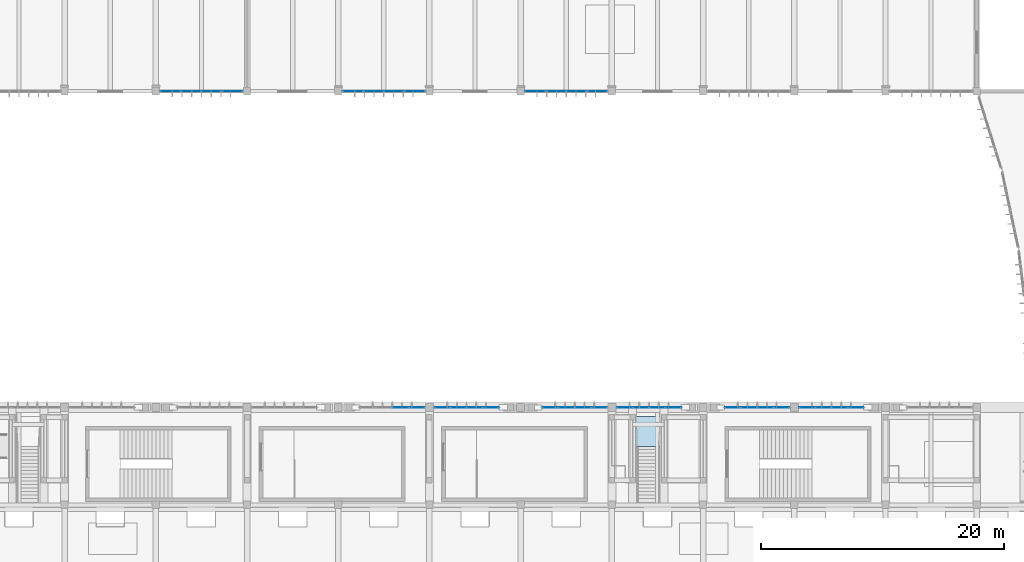
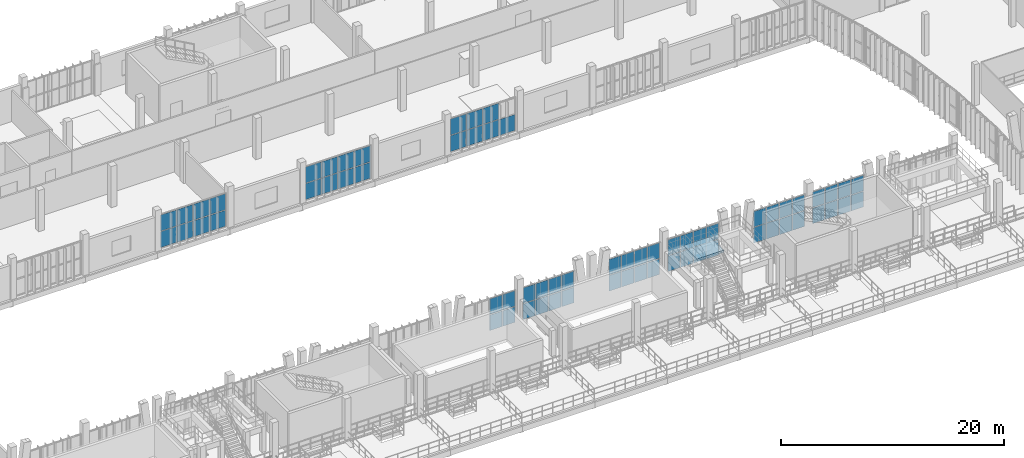
# One storey, part 43 of 81: 67 plates, 1 slab, 9 elements without a shape of their own.
"""IFC4 building model written with IfcOpenShell, lengths in metres."""

from ifc_helpers import new_model, si_unit, direction, frame, origin, origin_2d, place, context, subcontext, project, spatial, polyline, rectangle, outline, extrude, material, layer, layer_set, type_object, element, aggregate, save


model = new_model("IFC4")

# Units and contexts
model_context = context("Model", 3, precision=1e-05, world=origin(), true_north=direction((0.0, 1.0)))
body_context = subcontext(model_context, "Body", "Model", "MODEL_VIEW")
ifc_project = project(units=[si_unit("LENGTHUNIT", "METRE"), si_unit("AREAUNIT", "SQUARE_METRE"), si_unit("VOLUMEUNIT", "CUBIC_METRE"), si_unit("PLANEANGLEUNIT", "RADIAN"), si_unit("MASSUNIT", "GRAM", prefix="KILO")], contexts=[model_context])

# Site, building, storey
site_placement = place(None, origin())
site = spatial("IfcSite", under=ifc_project, at=site_placement, CompositionType="ELEMENT")
building_placement = place(site_placement, origin())
building = spatial("IfcBuilding", under=site, at=building_placement, Name="Vourika Railside Aquatics Centre", CompositionType="ELEMENT")
storey_placement = place(building_placement, frame((0.0, 0.0, 4.800048828125)))
storey = spatial("IfcBuildingStorey", under=building, at=storey_placement, Name="L01", CompositionType="ELEMENT", Elevation=4.800048828125)

# Curtain wall, plates
ifc_material_1 = material(Name="Anodized thermally broken aluminium", Category="aluminium")
curtain_wall_type_1 = type_object("IfcCurtainWallType", Name="CW-CRT1", PredefinedType="NOTDEFINED", material=ifc_material_1)
curtain_wall_1_placement = place(storey_placement, origin())
curtain_wall_1 = element("IfcCurtainWall", 1, at=curtain_wall_1_placement, inside=storey, type_object=curtain_wall_type_1, Name="Spectator Concourse Courtyard Curtain Wall 7", PredefinedType="NOTDEFINED")
ifc_material_2 = material(Name="Low-E solar-control laminated double glazing", Category="glass")
ifc_layer_1 = layer(ifc_material_2, 0.02392578125, Name="CWP-CRT1")
ifc_layer_set_1 = layer_set([ifc_layer_1], Name="Low-E solar-control laminated double glazing")
plate_type_1 = type_object("IfcPlateType", Name="CWP-CRT1", PredefinedType="CURTAIN_PANEL", material=ifc_layer_set_1)
plate_1_placement = place(storey_placement, frame((87.44970703125, 66.0, 0.06591796875), z_axis=(0.0, 0.0, 1.0), x_axis=(-1.0, 0.0, 0.0)))
plate_1 = element("IfcPlate", 2, at=plate_1_placement, type_object=plate_type_1, Name="CW13 panel 1.1", PredefinedType="CURTAIN_PANEL", context=body_context, shape_type="SweptSolid", body=[
    extrude(rectangle(XDim=1.24853515625, YDim=0.02392578125, at=origin_2d()), origin(), (0.0, 0.0, 1.0), 1.700927734375),
])
plate_2_placement = place(storey_placement, frame((87.44970703125, 66.0, 1.8330078125), z_axis=(0.0, 0.0, 1.0), x_axis=(-1.0, 0.0, 0.0)))
plate_2 = element("IfcPlate", 3, at=plate_2_placement, type_object=plate_type_1, Name="CW13 panel 1.2", PredefinedType="CURTAIN_PANEL", context=body_context, shape_type="SweptSolid", body=[
    extrude(rectangle(XDim=1.24853515625, YDim=0.02392578125, at=origin_2d()), origin(), (0.0, 0.0, 1.0), 1.700927734375),
])
plate_3_placement = place(storey_placement, frame((86.11865234375, 66.0, 0.06591796875), z_axis=(0.0, 0.0, 1.0), x_axis=(-1.0, 0.0, 0.0)))
plate_3 = element("IfcPlate", 4, at=plate_3_placement, type_object=plate_type_1, Name="CW13 panel 2.1", PredefinedType="CURTAIN_PANEL", context=body_context, shape_type="SweptSolid", body=[
    extrude(rectangle(XDim=1.281494140625, YDim=0.02392578125, at=origin_2d()), origin(), (0.0, 0.0, 1.0), 1.700927734375),
])
plate_4_placement = place(storey_placement, frame((86.11865234375, 66.0, 1.8330078125), z_axis=(0.0, 0.0, 1.0), x_axis=(-1.0, 0.0, 0.0)))
plate_4 = element("IfcPlate", 5, at=plate_4_placement, type_object=plate_type_1, Name="CW13 panel 2.2", PredefinedType="CURTAIN_PANEL", context=body_context, shape_type="SweptSolid", body=[
    extrude(rectangle(XDim=1.281494140625, YDim=0.02392578125, at=origin_2d()), origin(), (0.0, 0.0, 1.0), 1.700927734375),
])
aggregate(curtain_wall_1, [plate_1, plate_2, plate_3, plate_4])

curtain_wall_2_placement = place(storey_placement, origin())
curtain_wall_2 = element("IfcCurtainWall", 6, at=curtain_wall_2_placement, inside=storey, type_object=curtain_wall_type_1, Name="Spectator Concourse Courtyard Curtain Wall 8", PredefinedType="NOTDEFINED")
plate_5_placement = place(storey_placement, frame((93.559814453125, 66.0, 0.06591796875), z_axis=(0.0, 0.0, 1.0), x_axis=(-1.0, 0.0, 0.0)))
plate_5 = element("IfcPlate", 7, at=plate_5_placement, type_object=plate_type_1, Name="CW13 panel 1.1", PredefinedType="CURTAIN_PANEL", context=body_context, shape_type="SweptSolid", body=[
    extrude(rectangle(XDim=1.24853515625, YDim=0.02392578125, at=origin_2d()), origin(), (0.0, 0.0, 1.0), 1.700927734375),
])
plate_6_placement = place(storey_placement, frame((93.559814453125, 66.0, 1.8330078125), z_axis=(0.0, 0.0, 1.0), x_axis=(-1.0, 0.0, 0.0)))
plate_6 = element("IfcPlate", 8, at=plate_6_placement, type_object=plate_type_1, Name="CW13 panel 1.2", PredefinedType="CURTAIN_PANEL", context=body_context, shape_type="SweptSolid", body=[
    extrude(rectangle(XDim=1.24853515625, YDim=0.02392578125, at=origin_2d()), origin(), (0.0, 0.0, 1.0), 1.700927734375),
])
plate_7_placement = place(storey_placement, frame((92.228759765625, 66.0, 0.06591796875), z_axis=(0.0, 0.0, 1.0), x_axis=(-1.0, 0.0, 0.0)))
plate_7 = element("IfcPlate", 9, at=plate_7_placement, type_object=plate_type_1, Name="CW13 panel 2.1", PredefinedType="CURTAIN_PANEL", context=body_context, shape_type="SweptSolid", body=[
    extrude(rectangle(XDim=1.281494140625, YDim=0.02392578125, at=origin_2d()), origin(), (0.0, 0.0, 1.0), 1.700927734375),
])
plate_8_placement = place(storey_placement, frame((92.228759765625, 66.0, 1.8330078125), z_axis=(0.0, 0.0, 1.0), x_axis=(-1.0, 0.0, 0.0)))
plate_8 = element("IfcPlate", 10, at=plate_8_placement, type_object=plate_type_1, Name="CW13 panel 2.2", PredefinedType="CURTAIN_PANEL", context=body_context, shape_type="SweptSolid", body=[
    extrude(rectangle(XDim=1.281494140625, YDim=0.02392578125, at=origin_2d()), origin(), (0.0, 0.0, 1.0), 1.700927734375),
])
plate_9_placement = place(storey_placement, frame((90.88134765625, 66.0, 0.06591796875), z_axis=(0.0, 0.0, 1.0), x_axis=(-1.0, 0.0, 0.0)))
plate_9 = element("IfcPlate", 11, at=plate_9_placement, type_object=plate_type_1, Name="CW13 panel 3.1", PredefinedType="CURTAIN_PANEL", context=body_context, shape_type="SweptSolid", body=[
    extrude(rectangle(XDim=1.281494140625, YDim=0.02392578125, at=origin_2d()), origin(), (0.0, 0.0, 1.0), 1.700927734375),
])
plate_10_placement = place(storey_placement, frame((90.88134765625, 66.0, 1.8330078125), z_axis=(0.0, 0.0, 1.0), x_axis=(-1.0, 0.0, 0.0)))
plate_10 = element("IfcPlate", 12, at=plate_10_placement, type_object=plate_type_1, Name="CW13 panel 3.2", PredefinedType="CURTAIN_PANEL", context=body_context, shape_type="SweptSolid", body=[
    extrude(rectangle(XDim=1.281494140625, YDim=0.02392578125, at=origin_2d()), origin(), (0.0, 0.0, 1.0), 1.700927734375),
])
plate_11_placement = place(storey_placement, frame((89.55029296875, 66.0, 0.06591796875), z_axis=(0.0, 0.0, 1.0), x_axis=(-1.0, 0.0, 0.0)))
plate_11 = element("IfcPlate", 13, at=plate_11_placement, type_object=plate_type_1, Name="CW13 panel 4.1", PredefinedType="CURTAIN_PANEL", context=body_context, shape_type="SweptSolid", body=[
    extrude(rectangle(XDim=1.24853515625, YDim=0.02392578125, at=origin_2d()), origin(), (0.0, 0.0, 1.0), 1.700927734375),
])
plate_12_placement = place(storey_placement, frame((89.55029296875, 66.0, 1.8330078125), z_axis=(0.0, 0.0, 1.0), x_axis=(-1.0, 0.0, 0.0)))
plate_12 = element("IfcPlate", 14, at=plate_12_placement, type_object=plate_type_1, Name="CW13 panel 4.2", PredefinedType="CURTAIN_PANEL", context=body_context, shape_type="SweptSolid", body=[
    extrude(rectangle(XDim=1.24853515625, YDim=0.02392578125, at=origin_2d()), origin(), (0.0, 0.0, 1.0), 1.700927734375),
])
aggregate(curtain_wall_2, [plate_5, plate_6, plate_7, plate_8, plate_9, plate_10, plate_11, plate_12])

curtain_wall_3_placement = place(storey_placement, origin())
curtain_wall_3 = element("IfcCurtainWall", 15, at=curtain_wall_3_placement, inside=storey, type_object=curtain_wall_type_1, Name="Spectator Concourse Courtyard Curtain Wall 9", PredefinedType="NOTDEFINED")
plate_13_placement = place(storey_placement, frame((102.44970703125, 66.0, 0.06591796875), z_axis=(0.0, 0.0, 1.0), x_axis=(-1.0, 0.0, 0.0)))
plate_13 = element("IfcPlate", 16, at=plate_13_placement, type_object=plate_type_1, Name="CW13 panel 1.1", PredefinedType="CURTAIN_PANEL", context=body_context, shape_type="SweptSolid", body=[
    extrude(rectangle(XDim=1.24853515625, YDim=0.02392578125, at=origin_2d()), origin(), (0.0, 0.0, 1.0), 1.700927734375),
])
plate_14_placement = place(storey_placement, frame((102.44970703125, 66.0, 1.8330078125), z_axis=(0.0, 0.0, 1.0), x_axis=(-1.0, 0.0, 0.0)))
plate_14 = element("IfcPlate", 17, at=plate_14_placement, type_object=plate_type_1, Name="CW13 panel 1.2", PredefinedType="CURTAIN_PANEL", context=body_context, shape_type="SweptSolid", body=[
    extrude(rectangle(XDim=1.24853515625, YDim=0.02392578125, at=origin_2d()), origin(), (0.0, 0.0, 1.0), 1.700927734375),
])
plate_15_placement = place(storey_placement, frame((101.11865234375, 66.0, 0.06591796875), z_axis=(0.0, 0.0, 1.0), x_axis=(-1.0, 0.0, 0.0)))
plate_15 = element("IfcPlate", 18, at=plate_15_placement, type_object=plate_type_1, Name="CW13 panel 2.1", PredefinedType="CURTAIN_PANEL", context=body_context, shape_type="SweptSolid", body=[
    extrude(rectangle(XDim=1.281494140625, YDim=0.02392578125, at=origin_2d()), origin(), (0.0, 0.0, 1.0), 1.700927734375),
])
plate_16_placement = place(storey_placement, frame((101.11865234375, 66.0, 1.8330078125), z_axis=(0.0, 0.0, 1.0), x_axis=(-1.0, 0.0, 0.0)))
plate_16 = element("IfcPlate", 19, at=plate_16_placement, type_object=plate_type_1, Name="CW13 panel 2.2", PredefinedType="CURTAIN_PANEL", context=body_context, shape_type="SweptSolid", body=[
    extrude(rectangle(XDim=1.281494140625, YDim=0.02392578125, at=origin_2d()), origin(), (0.0, 0.0, 1.0), 1.700927734375),
])
plate_17_placement = place(storey_placement, frame((99.771240234375, 66.0, 0.06591796875), z_axis=(0.0, 0.0, 1.0), x_axis=(-1.0, 0.0, 0.0)))
plate_17 = element("IfcPlate", 20, at=plate_17_placement, type_object=plate_type_1, Name="CW13 panel 3.1", PredefinedType="CURTAIN_PANEL", context=body_context, shape_type="SweptSolid", body=[
    extrude(rectangle(XDim=1.281494140625, YDim=0.02392578125, at=origin_2d()), origin(), (0.0, 0.0, 1.0), 1.700927734375),
])
plate_18_placement = place(storey_placement, frame((99.771240234375, 66.0, 1.8330078125), z_axis=(0.0, 0.0, 1.0), x_axis=(-1.0, 0.0, 0.0)))
plate_18 = element("IfcPlate", 21, at=plate_18_placement, type_object=plate_type_1, Name="CW13 panel 3.2", PredefinedType="CURTAIN_PANEL", context=body_context, shape_type="SweptSolid", body=[
    extrude(rectangle(XDim=1.281494140625, YDim=0.02392578125, at=origin_2d()), origin(), (0.0, 0.0, 1.0), 1.700927734375),
])
plate_19_placement = place(storey_placement, frame((98.440185546875, 66.0, 0.06591796875), z_axis=(0.0, 0.0, 1.0), x_axis=(-1.0, 0.0, 0.0)))
plate_19 = element("IfcPlate", 22, at=plate_19_placement, type_object=plate_type_1, Name="CW13 panel 4.1", PredefinedType="CURTAIN_PANEL", context=body_context, shape_type="SweptSolid", body=[
    extrude(rectangle(XDim=1.24853515625, YDim=0.02392578125, at=origin_2d()), origin(), (0.0, 0.0, 1.0), 1.700927734375),
])
plate_20_placement = place(storey_placement, frame((98.440185546875, 66.0, 1.8330078125), z_axis=(0.0, 0.0, 1.0), x_axis=(-1.0, 0.0, 0.0)))
plate_20 = element("IfcPlate", 23, at=plate_20_placement, type_object=plate_type_1, Name="CW13 panel 4.2", PredefinedType="CURTAIN_PANEL", context=body_context, shape_type="SweptSolid", body=[
    extrude(rectangle(XDim=1.24853515625, YDim=0.02392578125, at=origin_2d()), origin(), (0.0, 0.0, 1.0), 1.700927734375),
])
aggregate(curtain_wall_3, [plate_13, plate_14, plate_15, plate_16, plate_17, plate_18, plate_19, plate_20])

curtain_wall_4_placement = place(storey_placement, origin())
curtain_wall_4 = element("IfcCurtainWall", 24, at=curtain_wall_4_placement, inside=storey, type_object=curtain_wall_type_1, Name="Spectator Concourse Courtyard Curtain Wall 10", PredefinedType="NOTDEFINED")
plate_21_placement = place(storey_placement, frame((108.559814453125, 66.0, 0.06591796875), z_axis=(0.0, 0.0, 1.0), x_axis=(-1.0, 0.0, 0.0)))
plate_21 = element("IfcPlate", 25, at=plate_21_placement, type_object=plate_type_1, Name="CW13 panel 1.1", PredefinedType="CURTAIN_PANEL", context=body_context, shape_type="SweptSolid", body=[
    extrude(rectangle(XDim=1.24853515625, YDim=0.02392578125, at=origin_2d()), origin(), (0.0, 0.0, 1.0), 1.700927734375),
])
plate_22_placement = place(storey_placement, frame((108.559814453125, 66.0, 1.8330078125), z_axis=(0.0, 0.0, 1.0), x_axis=(-1.0, 0.0, 0.0)))
plate_22 = element("IfcPlate", 26, at=plate_22_placement, type_object=plate_type_1, Name="CW13 panel 1.2", PredefinedType="CURTAIN_PANEL", context=body_context, shape_type="SweptSolid", body=[
    extrude(rectangle(XDim=1.24853515625, YDim=0.02392578125, at=origin_2d()), origin(), (0.0, 0.0, 1.0), 1.700927734375),
])
plate_23_placement = place(storey_placement, frame((107.228759765625, 66.0, 0.06591796875), z_axis=(0.0, 0.0, 1.0), x_axis=(-1.0, 0.0, 0.0)))
plate_23 = element("IfcPlate", 27, at=plate_23_placement, type_object=plate_type_1, Name="CW13 panel 2.1", PredefinedType="CURTAIN_PANEL", context=body_context, shape_type="SweptSolid", body=[
    extrude(rectangle(XDim=1.281494140625, YDim=0.02392578125, at=origin_2d()), origin(), (0.0, 0.0, 1.0), 1.700927734375),
])
plate_24_placement = place(storey_placement, frame((107.228759765625, 66.0, 1.8330078125), z_axis=(0.0, 0.0, 1.0), x_axis=(-1.0, 0.0, 0.0)))
plate_24 = element("IfcPlate", 28, at=plate_24_placement, type_object=plate_type_1, Name="CW13 panel 2.2", PredefinedType="CURTAIN_PANEL", context=body_context, shape_type="SweptSolid", body=[
    extrude(rectangle(XDim=1.281494140625, YDim=0.02392578125, at=origin_2d()), origin(), (0.0, 0.0, 1.0), 1.700927734375),
])
plate_25_placement = place(storey_placement, frame((105.88134765625, 66.0, 0.06591796875), z_axis=(0.0, 0.0, 1.0), x_axis=(-1.0, 0.0, 0.0)))
plate_25 = element("IfcPlate", 29, at=plate_25_placement, type_object=plate_type_1, Name="CW13 panel 3.1", PredefinedType="CURTAIN_PANEL", context=body_context, shape_type="SweptSolid", body=[
    extrude(rectangle(XDim=1.281494140625, YDim=0.02392578125, at=origin_2d()), origin(), (0.0, 0.0, 1.0), 1.700927734375),
])
plate_26_placement = place(storey_placement, frame((105.88134765625, 66.0, 1.8330078125), z_axis=(0.0, 0.0, 1.0), x_axis=(-1.0, 0.0, 0.0)))
plate_26 = element("IfcPlate", 30, at=plate_26_placement, type_object=plate_type_1, Name="CW13 panel 3.2", PredefinedType="CURTAIN_PANEL", context=body_context, shape_type="SweptSolid", body=[
    extrude(rectangle(XDim=1.281494140625, YDim=0.02392578125, at=origin_2d()), origin(), (0.0, 0.0, 1.0), 1.700927734375),
])
plate_27_placement = place(storey_placement, frame((104.55029296875, 66.0, 0.06591796875), z_axis=(0.0, 0.0, 1.0), x_axis=(-1.0, 0.0, 0.0)))
plate_27 = element("IfcPlate", 31, at=plate_27_placement, type_object=plate_type_1, Name="CW13 panel 4.1", PredefinedType="CURTAIN_PANEL", context=body_context, shape_type="SweptSolid", body=[
    extrude(rectangle(XDim=1.24853515625, YDim=0.02392578125, at=origin_2d()), origin(), (0.0, 0.0, 1.0), 1.700927734375),
])
plate_28_placement = place(storey_placement, frame((104.55029296875, 66.0, 1.8330078125), z_axis=(0.0, 0.0, 1.0), x_axis=(-1.0, 0.0, 0.0)))
plate_28 = element("IfcPlate", 32, at=plate_28_placement, type_object=plate_type_1, Name="CW13 panel 4.2", PredefinedType="CURTAIN_PANEL", context=body_context, shape_type="SweptSolid", body=[
    extrude(rectangle(XDim=1.24853515625, YDim=0.02392578125, at=origin_2d()), origin(), (0.0, 0.0, 1.0), 1.700927734375),
])
aggregate(curtain_wall_4, [plate_21, plate_22, plate_23, plate_24, plate_25, plate_26, plate_27, plate_28])

curtain_wall_5_placement = place(storey_placement, origin())
curtain_wall_5 = element("IfcCurtainWall", 33, at=curtain_wall_5_placement, inside=storey, type_object=curtain_wall_type_1, Name="Spectator Concourse Courtyard Curtain Wall 11", PredefinedType="NOTDEFINED")
plate_29_placement = place(storey_placement, frame((117.44970703125, 66.0, 0.06591796875), z_axis=(0.0, 0.0, 1.0), x_axis=(-1.0, 0.0, 0.0)))
plate_29 = element("IfcPlate", 34, at=plate_29_placement, type_object=plate_type_1, Name="CW13 panel 1.1", PredefinedType="CURTAIN_PANEL", context=body_context, shape_type="SweptSolid", body=[
    extrude(rectangle(XDim=1.24853515625, YDim=0.02392578125, at=origin_2d()), origin(), (0.0, 0.0, 1.0), 1.700927734375),
])
plate_30_placement = place(storey_placement, frame((117.44970703125, 66.0, 1.8330078125), z_axis=(0.0, 0.0, 1.0), x_axis=(-1.0, 0.0, 0.0)))
plate_30 = element("IfcPlate", 35, at=plate_30_placement, type_object=plate_type_1, Name="CW13 panel 1.2", PredefinedType="CURTAIN_PANEL", context=body_context, shape_type="SweptSolid", body=[
    extrude(rectangle(XDim=1.24853515625, YDim=0.02392578125, at=origin_2d()), origin(), (0.0, 0.0, 1.0), 1.700927734375),
])
plate_31_placement = place(storey_placement, frame((116.11865234375, 66.0, 0.06591796875), z_axis=(0.0, 0.0, 1.0), x_axis=(-1.0, 0.0, 0.0)))
plate_31 = element("IfcPlate", 36, at=plate_31_placement, type_object=plate_type_1, Name="CW13 panel 2.1", PredefinedType="CURTAIN_PANEL", context=body_context, shape_type="SweptSolid", body=[
    extrude(rectangle(XDim=1.281494140625, YDim=0.02392578125, at=origin_2d()), origin(), (0.0, 0.0, 1.0), 1.700927734375),
])
plate_32_placement = place(storey_placement, frame((116.11865234375, 66.0, 1.8330078125), z_axis=(0.0, 0.0, 1.0), x_axis=(-1.0, 0.0, 0.0)))
plate_32 = element("IfcPlate", 37, at=plate_32_placement, type_object=plate_type_1, Name="CW13 panel 2.2", PredefinedType="CURTAIN_PANEL", context=body_context, shape_type="SweptSolid", body=[
    extrude(rectangle(XDim=1.281494140625, YDim=0.02392578125, at=origin_2d()), origin(), (0.0, 0.0, 1.0), 1.700927734375),
])
plate_33_placement = place(storey_placement, frame((114.771240234375, 66.0, 0.06591796875), z_axis=(0.0, 0.0, 1.0), x_axis=(-1.0, 0.0, 0.0)))
plate_33 = element("IfcPlate", 38, at=plate_33_placement, type_object=plate_type_1, Name="CW13 panel 3.1", PredefinedType="CURTAIN_PANEL", context=body_context, shape_type="SweptSolid", body=[
    extrude(rectangle(XDim=1.281494140625, YDim=0.02392578125, at=origin_2d()), origin(), (0.0, 0.0, 1.0), 1.700927734375),
])
plate_34_placement = place(storey_placement, frame((114.771240234375, 66.0, 1.8330078125), z_axis=(0.0, 0.0, 1.0), x_axis=(-1.0, 0.0, 0.0)))
plate_34 = element("IfcPlate", 39, at=plate_34_placement, type_object=plate_type_1, Name="CW13 panel 3.2", PredefinedType="CURTAIN_PANEL", context=body_context, shape_type="SweptSolid", body=[
    extrude(rectangle(XDim=1.281494140625, YDim=0.02392578125, at=origin_2d()), origin(), (0.0, 0.0, 1.0), 1.700927734375),
])
plate_35_placement = place(storey_placement, frame((113.440185546875, 66.0, 0.06591796875), z_axis=(0.0, 0.0, 1.0), x_axis=(-1.0, 0.0, 0.0)))
plate_35 = element("IfcPlate", 40, at=plate_35_placement, type_object=plate_type_1, Name="CW13 panel 4.1", PredefinedType="CURTAIN_PANEL", context=body_context, shape_type="SweptSolid", body=[
    extrude(rectangle(XDim=1.24853515625, YDim=0.02392578125, at=origin_2d()), origin(), (0.0, 0.0, 1.0), 1.700927734375),
])
plate_36_placement = place(storey_placement, frame((113.440185546875, 66.0, 1.8330078125), z_axis=(0.0, 0.0, 1.0), x_axis=(-1.0, 0.0, 0.0)))
plate_36 = element("IfcPlate", 41, at=plate_36_placement, type_object=plate_type_1, Name="CW13 panel 4.2", PredefinedType="CURTAIN_PANEL", context=body_context, shape_type="SweptSolid", body=[
    extrude(rectangle(XDim=1.24853515625, YDim=0.02392578125, at=origin_2d()), origin(), (0.0, 0.0, 1.0), 1.700927734375),
])
aggregate(curtain_wall_5, [plate_29, plate_30, plate_31, plate_32, plate_33, plate_34, plate_35, plate_36])

curtain_wall_6_placement = place(storey_placement, origin())
curtain_wall_6 = element("IfcCurtainWall", 42, at=curtain_wall_6_placement, inside=storey, type_object=curtain_wall_type_1, Name="Spectator Concourse Courtyard Curtain Wall 12", PredefinedType="NOTDEFINED")
plate_37_placement = place(storey_placement, frame((123.559814453125, 66.0, 0.06591796875), z_axis=(0.0, 0.0, 1.0), x_axis=(-1.0, 0.0, 0.0)))
plate_37 = element("IfcPlate", 43, at=plate_37_placement, type_object=plate_type_1, Name="CW13 panel 1.1", PredefinedType="CURTAIN_PANEL", context=body_context, shape_type="SweptSolid", body=[
    extrude(rectangle(XDim=1.24853515625, YDim=0.02392578125, at=origin_2d()), origin(), (0.0, 0.0, 1.0), 1.700927734375),
])
plate_38_placement = place(storey_placement, frame((123.559814453125, 66.0, 1.8330078125), z_axis=(0.0, 0.0, 1.0), x_axis=(-1.0, 0.0, 0.0)))
plate_38 = element("IfcPlate", 44, at=plate_38_placement, type_object=plate_type_1, Name="CW13 panel 1.2", PredefinedType="CURTAIN_PANEL", context=body_context, shape_type="SweptSolid", body=[
    extrude(rectangle(XDim=1.24853515625, YDim=0.02392578125, at=origin_2d()), origin(), (0.0, 0.0, 1.0), 1.700927734375),
])
plate_39_placement = place(storey_placement, frame((122.228759765625, 66.0, 0.06591796875), z_axis=(0.0, 0.0, 1.0), x_axis=(-1.0, 0.0, 0.0)))
plate_39 = element("IfcPlate", 45, at=plate_39_placement, type_object=plate_type_1, Name="CW13 panel 2.1", PredefinedType="CURTAIN_PANEL", context=body_context, shape_type="SweptSolid", body=[
    extrude(rectangle(XDim=1.281494140625, YDim=0.02392578125, at=origin_2d()), origin(), (0.0, 0.0, 1.0), 1.700927734375),
])
plate_40_placement = place(storey_placement, frame((122.228759765625, 66.0, 1.8330078125), z_axis=(0.0, 0.0, 1.0), x_axis=(-1.0, 0.0, 0.0)))
plate_40 = element("IfcPlate", 46, at=plate_40_placement, type_object=plate_type_1, Name="CW13 panel 2.2", PredefinedType="CURTAIN_PANEL", context=body_context, shape_type="SweptSolid", body=[
    extrude(rectangle(XDim=1.281494140625, YDim=0.02392578125, at=origin_2d()), origin(), (0.0, 0.0, 1.0), 1.700927734375),
])
plate_41_placement = place(storey_placement, frame((120.88134765625, 66.0, 0.06591796875), z_axis=(0.0, 0.0, 1.0), x_axis=(-1.0, 0.0, 0.0)))
plate_41 = element("IfcPlate", 47, at=plate_41_placement, type_object=plate_type_1, Name="CW13 panel 3.1", PredefinedType="CURTAIN_PANEL", context=body_context, shape_type="SweptSolid", body=[
    extrude(rectangle(XDim=1.281494140625, YDim=0.02392578125, at=origin_2d()), origin(), (0.0, 0.0, 1.0), 1.700927734375),
])
plate_42_placement = place(storey_placement, frame((120.88134765625, 66.0, 1.8330078125), z_axis=(0.0, 0.0, 1.0), x_axis=(-1.0, 0.0, 0.0)))
plate_42 = element("IfcPlate", 48, at=plate_42_placement, type_object=plate_type_1, Name="CW13 panel 3.2", PredefinedType="CURTAIN_PANEL", context=body_context, shape_type="SweptSolid", body=[
    extrude(rectangle(XDim=1.281494140625, YDim=0.02392578125, at=origin_2d()), origin(), (0.0, 0.0, 1.0), 1.700927734375),
])
plate_43_placement = place(storey_placement, frame((119.55029296875, 66.0, 0.06591796875), z_axis=(0.0, 0.0, 1.0), x_axis=(-1.0, 0.0, 0.0)))
plate_43 = element("IfcPlate", 49, at=plate_43_placement, type_object=plate_type_1, Name="CW13 panel 4.1", PredefinedType="CURTAIN_PANEL", context=body_context, shape_type="SweptSolid", body=[
    extrude(rectangle(XDim=1.24853515625, YDim=0.02392578125, at=origin_2d()), origin(), (0.0, 0.0, 1.0), 1.700927734375),
])
plate_44_placement = place(storey_placement, frame((119.55029296875, 66.0, 1.8330078125), z_axis=(0.0, 0.0, 1.0), x_axis=(-1.0, 0.0, 0.0)))
plate_44 = element("IfcPlate", 50, at=plate_44_placement, type_object=plate_type_1, Name="CW13 panel 4.2", PredefinedType="CURTAIN_PANEL", context=body_context, shape_type="SweptSolid", body=[
    extrude(rectangle(XDim=1.24853515625, YDim=0.02392578125, at=origin_2d()), origin(), (0.0, 0.0, 1.0), 1.700927734375),
])
aggregate(curtain_wall_6, [plate_37, plate_38, plate_39, plate_40, plate_41, plate_42, plate_43, plate_44])

curtain_wall_type_2 = type_object("IfcCurtainWallType", Name="CW-FIT1", PredefinedType="NOTDEFINED", material=ifc_material_1)
curtain_wall_7_placement = place(storey_placement, origin())
curtain_wall_7 = element("IfcCurtainWall", 51, at=curtain_wall_7_placement, inside=storey, type_object=curtain_wall_type_2, Name="Courtyard Fitness Curtain Wall L01-5", PredefinedType="NOTDEFINED")
ifc_layer_2 = layer(ifc_material_2, 0.02392578125, Name="CWP-FIT1")
ifc_layer_set_2 = layer_set([ifc_layer_2], Name="Low-E solar-control laminated double glazing")
plate_type_2 = type_object("IfcPlateType", Name="CWP-FIT1", PredefinedType="CURTAIN_PANEL", material=ifc_layer_set_2)
plate_45_placement = place(storey_placement, frame((67.200439453125, 92.0, 0.06201171875), z_axis=(0.0, 0.0, 1.0), x_axis=(1.0, 0.0, 0.0)))
plate_45 = element("IfcPlate", 52, at=plate_45_placement, type_object=plate_type_2, Name="CW15 panel 1.1", PredefinedType="CURTAIN_PANEL", context=body_context, shape_type="SweptSolid", body=[
    extrude(rectangle(XDim=1.616943359375, YDim=0.02392578125, at=origin_2d()), origin(), (0.0, 0.0, 1.0), 1.757080078125),
])
plate_46_placement = place(storey_placement, frame((67.200439453125, 92.0, 1.880859375), z_axis=(0.0, 0.0, 1.0), x_axis=(1.0, 0.0, 0.0)))
plate_46 = element("IfcPlate", 53, at=plate_46_placement, type_object=plate_type_2, Name="CW15 panel 1.2", PredefinedType="CURTAIN_PANEL", context=body_context, shape_type="SweptSolid", body=[
    extrude(rectangle(XDim=1.616943359375, YDim=0.02392578125, at=origin_2d()), origin(), (0.0, 0.0, 1.0), 1.757080078125),
])
plate_47_placement = place(storey_placement, frame((68.89501953125, 92.0, 0.06201171875), z_axis=(0.0, 0.0, 1.0), x_axis=(1.0, 0.0, 0.0)))
plate_47 = element("IfcPlate", 54, at=plate_47_placement, type_object=plate_type_2, Name="CW15 panel 2.1", PredefinedType="CURTAIN_PANEL", context=body_context, shape_type="SweptSolid", body=[
    extrude(rectangle(XDim=1.64794921875, YDim=0.02392578125, at=origin_2d()), origin(), (0.0, 0.0, 1.0), 1.757080078125),
])
plate_48_placement = place(storey_placement, frame((68.89501953125, 92.0, 1.880859375), z_axis=(0.0, 0.0, 1.0), x_axis=(1.0, 0.0, 0.0)))
plate_48 = element("IfcPlate", 55, at=plate_48_placement, type_object=plate_type_2, Name="CW15 panel 2.2", PredefinedType="CURTAIN_PANEL", context=body_context, shape_type="SweptSolid", body=[
    extrude(rectangle(XDim=1.64794921875, YDim=0.02392578125, at=origin_2d()), origin(), (0.0, 0.0, 1.0), 1.757080078125),
])
plate_49_placement = place(storey_placement, frame((70.60498046875, 92.0, 0.06201171875), z_axis=(0.0, 0.0, 1.0), x_axis=(1.0, 0.0, 0.0)))
plate_49 = element("IfcPlate", 56, at=plate_49_placement, type_object=plate_type_2, Name="CW15 panel 3.1", PredefinedType="CURTAIN_PANEL", context=body_context, shape_type="SweptSolid", body=[
    extrude(rectangle(XDim=1.64794921875, YDim=0.02392578125, at=origin_2d()), origin(), (0.0, 0.0, 1.0), 1.757080078125),
])
plate_50_placement = place(storey_placement, frame((70.60498046875, 92.0, 1.880859375), z_axis=(0.0, 0.0, 1.0), x_axis=(1.0, 0.0, 0.0)))
plate_50 = element("IfcPlate", 57, at=plate_50_placement, type_object=plate_type_2, Name="CW15 panel 3.2", PredefinedType="CURTAIN_PANEL", context=body_context, shape_type="SweptSolid", body=[
    extrude(rectangle(XDim=1.64794921875, YDim=0.02392578125, at=origin_2d()), origin(), (0.0, 0.0, 1.0), 1.757080078125),
])
plate_51_placement = place(storey_placement, frame((72.299560546875, 92.0, 0.06201171875), z_axis=(0.0, 0.0, 1.0), x_axis=(1.0, 0.0, 0.0)))
plate_51 = element("IfcPlate", 58, at=plate_51_placement, type_object=plate_type_2, Name="CW15 panel 4.1", PredefinedType="CURTAIN_PANEL", context=body_context, shape_type="SweptSolid", body=[
    extrude(rectangle(XDim=1.616943359375, YDim=0.02392578125, at=origin_2d()), origin(), (0.0, 0.0, 1.0), 1.757080078125),
])
plate_52_placement = place(storey_placement, frame((72.299560546875, 92.0, 1.880859375), z_axis=(0.0, 0.0, 1.0), x_axis=(1.0, 0.0, 0.0)))
plate_52 = element("IfcPlate", 59, at=plate_52_placement, type_object=plate_type_2, Name="CW15 panel 4.2", PredefinedType="CURTAIN_PANEL", context=body_context, shape_type="SweptSolid", body=[
    extrude(rectangle(XDim=1.616943359375, YDim=0.02392578125, at=origin_2d()), origin(), (0.0, 0.0, 1.0), 1.757080078125),
])
aggregate(curtain_wall_7, [plate_45, plate_46, plate_47, plate_48, plate_49, plate_50, plate_51, plate_52])

curtain_wall_8_placement = place(storey_placement, origin())
curtain_wall_8 = element("IfcCurtainWall", 60, at=curtain_wall_8_placement, inside=storey, type_object=curtain_wall_type_2, Name="Courtyard Fitness Curtain Wall L01-7", PredefinedType="NOTDEFINED")
plate_53_placement = place(storey_placement, frame((82.200439453125, 92.0, 0.06201171875), z_axis=(0.0, 0.0, 1.0), x_axis=(1.0, 0.0, 0.0)))
plate_53 = element("IfcPlate", 61, at=plate_53_placement, type_object=plate_type_2, Name="CW15 panel 1.1", PredefinedType="CURTAIN_PANEL", context=body_context, shape_type="SweptSolid", body=[
    extrude(rectangle(XDim=1.616943359375, YDim=0.02392578125, at=origin_2d()), origin(), (0.0, 0.0, 1.0), 1.757080078125),
])
plate_54_placement = place(storey_placement, frame((82.200439453125, 92.0, 1.880859375), z_axis=(0.0, 0.0, 1.0), x_axis=(1.0, 0.0, 0.0)))
plate_54 = element("IfcPlate", 62, at=plate_54_placement, type_object=plate_type_2, Name="CW15 panel 1.2", PredefinedType="CURTAIN_PANEL", context=body_context, shape_type="SweptSolid", body=[
    extrude(rectangle(XDim=1.616943359375, YDim=0.02392578125, at=origin_2d()), origin(), (0.0, 0.0, 1.0), 1.757080078125),
])
plate_55_placement = place(storey_placement, frame((83.89501953125, 92.0, 0.06201171875), z_axis=(0.0, 0.0, 1.0), x_axis=(1.0, 0.0, 0.0)))
plate_55 = element("IfcPlate", 63, at=plate_55_placement, type_object=plate_type_2, Name="CW15 panel 2.1", PredefinedType="CURTAIN_PANEL", context=body_context, shape_type="SweptSolid", body=[
    extrude(rectangle(XDim=1.64794921875, YDim=0.02392578125, at=origin_2d()), origin(), (0.0, 0.0, 1.0), 1.757080078125),
])
plate_56_placement = place(storey_placement, frame((83.89501953125, 92.0, 1.880859375), z_axis=(0.0, 0.0, 1.0), x_axis=(1.0, 0.0, 0.0)))
plate_56 = element("IfcPlate", 64, at=plate_56_placement, type_object=plate_type_2, Name="CW15 panel 2.2", PredefinedType="CURTAIN_PANEL", context=body_context, shape_type="SweptSolid", body=[
    extrude(rectangle(XDim=1.64794921875, YDim=0.02392578125, at=origin_2d()), origin(), (0.0, 0.0, 1.0), 1.757080078125),
])
plate_57_placement = place(storey_placement, frame((85.60498046875, 92.0, 0.06201171875), z_axis=(0.0, 0.0, 1.0), x_axis=(1.0, 0.0, 0.0)))
plate_57 = element("IfcPlate", 65, at=plate_57_placement, type_object=plate_type_2, Name="CW15 panel 3.1", PredefinedType="CURTAIN_PANEL", context=body_context, shape_type="SweptSolid", body=[
    extrude(rectangle(XDim=1.64794921875, YDim=0.02392578125, at=origin_2d()), origin(), (0.0, 0.0, 1.0), 1.757080078125),
])
plate_58_placement = place(storey_placement, frame((85.60498046875, 92.0, 1.880859375), z_axis=(0.0, 0.0, 1.0), x_axis=(1.0, 0.0, 0.0)))
plate_58 = element("IfcPlate", 66, at=plate_58_placement, type_object=plate_type_2, Name="CW15 panel 3.2", PredefinedType="CURTAIN_PANEL", context=body_context, shape_type="SweptSolid", body=[
    extrude(rectangle(XDim=1.64794921875, YDim=0.02392578125, at=origin_2d()), origin(), (0.0, 0.0, 1.0), 1.757080078125),
])
plate_59_placement = place(storey_placement, frame((87.299560546875, 92.0, 0.06201171875), z_axis=(0.0, 0.0, 1.0), x_axis=(1.0, 0.0, 0.0)))
plate_59 = element("IfcPlate", 67, at=plate_59_placement, type_object=plate_type_2, Name="CW15 panel 4.1", PredefinedType="CURTAIN_PANEL", context=body_context, shape_type="SweptSolid", body=[
    extrude(rectangle(XDim=1.616943359375, YDim=0.02392578125, at=origin_2d()), origin(), (0.0, 0.0, 1.0), 1.757080078125),
])
plate_60_placement = place(storey_placement, frame((87.299560546875, 92.0, 1.880859375), z_axis=(0.0, 0.0, 1.0), x_axis=(1.0, 0.0, 0.0)))
plate_60 = element("IfcPlate", 68, at=plate_60_placement, type_object=plate_type_2, Name="CW15 panel 4.2", PredefinedType="CURTAIN_PANEL", context=body_context, shape_type="SweptSolid", body=[
    extrude(rectangle(XDim=1.616943359375, YDim=0.02392578125, at=origin_2d()), origin(), (0.0, 0.0, 1.0), 1.757080078125),
])
aggregate(curtain_wall_8, [plate_53, plate_54, plate_55, plate_56, plate_57, plate_58, plate_59, plate_60])

curtain_wall_9_placement = place(storey_placement, origin())
curtain_wall_9 = element("IfcCurtainWall", 69, at=curtain_wall_9_placement, inside=storey, type_object=curtain_wall_type_2, Name="Courtyard Fitness Curtain Wall L01-9", PredefinedType="NOTDEFINED")
plate_61_placement = place(storey_placement, frame((97.200439453125, 92.0, 0.06201171875), z_axis=(0.0, 0.0, 1.0), x_axis=(1.0, 0.0, 0.0)))
plate_61 = element("IfcPlate", 70, at=plate_61_placement, type_object=plate_type_2, Name="CW15 panel 1.1", PredefinedType="CURTAIN_PANEL", context=body_context, shape_type="SweptSolid", body=[
    extrude(rectangle(XDim=1.616943359375, YDim=0.02392578125, at=origin_2d()), origin(), (0.0, 0.0, 1.0), 1.757080078125),
])
plate_62_placement = place(storey_placement, frame((97.200439453125, 92.0, 1.880859375), z_axis=(0.0, 0.0, 1.0), x_axis=(1.0, 0.0, 0.0)))
plate_62 = element("IfcPlate", 71, at=plate_62_placement, type_object=plate_type_2, Name="CW15 panel 1.2", PredefinedType="CURTAIN_PANEL", context=body_context, shape_type="SweptSolid", body=[
    extrude(rectangle(XDim=1.616943359375, YDim=0.02392578125, at=origin_2d()), origin(), (0.0, 0.0, 1.0), 1.757080078125),
])
plate_63_placement = place(storey_placement, frame((98.89501953125, 92.0, 0.06201171875), z_axis=(0.0, 0.0, 1.0), x_axis=(1.0, 0.0, 0.0)))
plate_63 = element("IfcPlate", 72, at=plate_63_placement, type_object=plate_type_2, Name="CW15 panel 2.1", PredefinedType="CURTAIN_PANEL", context=body_context, shape_type="SweptSolid", body=[
    extrude(rectangle(XDim=1.64794921875, YDim=0.02392578125, at=origin_2d()), origin(), (0.0, 0.0, 1.0), 1.757080078125),
])
plate_64_placement = place(storey_placement, frame((98.89501953125, 92.0, 1.880859375), z_axis=(0.0, 0.0, 1.0), x_axis=(1.0, 0.0, 0.0)))
plate_64 = element("IfcPlate", 73, at=plate_64_placement, type_object=plate_type_2, Name="CW15 panel 2.2", PredefinedType="CURTAIN_PANEL", context=body_context, shape_type="SweptSolid", body=[
    extrude(rectangle(XDim=1.64794921875, YDim=0.02392578125, at=origin_2d()), origin(), (0.0, 0.0, 1.0), 1.757080078125),
])
plate_65_placement = place(storey_placement, frame((100.60498046875, 92.0, 0.06201171875), z_axis=(0.0, 0.0, 1.0), x_axis=(1.0, 0.0, 0.0)))
plate_65 = element("IfcPlate", 74, at=plate_65_placement, type_object=plate_type_2, Name="CW15 panel 3.1", PredefinedType="CURTAIN_PANEL", context=body_context, shape_type="SweptSolid", body=[
    extrude(rectangle(XDim=1.64794921875, YDim=0.02392578125, at=origin_2d()), origin(), (0.0, 0.0, 1.0), 1.757080078125),
])
plate_66_placement = place(storey_placement, frame((100.60498046875, 92.0, 1.880859375), z_axis=(0.0, 0.0, 1.0), x_axis=(1.0, 0.0, 0.0)))
plate_66 = element("IfcPlate", 75, at=plate_66_placement, type_object=plate_type_2, Name="CW15 panel 3.2", PredefinedType="CURTAIN_PANEL", context=body_context, shape_type="SweptSolid", body=[
    extrude(rectangle(XDim=1.64794921875, YDim=0.02392578125, at=origin_2d()), origin(), (0.0, 0.0, 1.0), 1.757080078125),
])
plate_67_placement = place(storey_placement, frame((102.299560546875, 92.0, 0.06201171875), z_axis=(0.0, 0.0, 1.0), x_axis=(1.0, 0.0, 0.0)))
plate_67 = element("IfcPlate", 76, at=plate_67_placement, type_object=plate_type_2, Name="CW15 panel 4.1", PredefinedType="CURTAIN_PANEL", context=body_context, shape_type="SweptSolid", body=[
    extrude(rectangle(XDim=1.616943359375, YDim=0.02392578125, at=origin_2d()), origin(), (0.0, 0.0, 1.0), 1.757080078125),
])
aggregate(curtain_wall_9, [plate_61, plate_62, plate_63, plate_64, plate_65, plate_66, plate_67])

# Slab
ifc_material_3 = material(Name="Concrete C35/45", Category="concrete")
ifc_layer_3 = layer(ifc_material_3, 0.219970703125, Name="SLB-CORE-220")
ifc_layer_set_3 = layer_set([ifc_layer_3], Name="Concrete C35/45")
slab_type = type_object("IfcSlabType", Name="SLB-CORE-220", PredefinedType="FLOOR", material=ifc_layer_set_3)
slab_placement = place(storey_placement, frame((0.0, 0.0, 2.7548828125)))
element("IfcSlab", 77, at=slab_placement, inside=storey, type_object=slab_type, Name="Vomitory VOM6 Upper Stand Arrival Landing", PredefinedType="FLOOR", context=body_context, shape_type="SweptSolid", body=[
    extrude(outline(polyline([(105.1201171875, 62.800048828125), (107.8798828125, 62.800048828125), (107.8798828125, 65.25), (105.1201171875, 65.25), (105.1201171875, 62.800048828125)])), origin(), (0.0, 0.0, 1.0), 0.219970703125),
])

save(model, "model.ifc")
